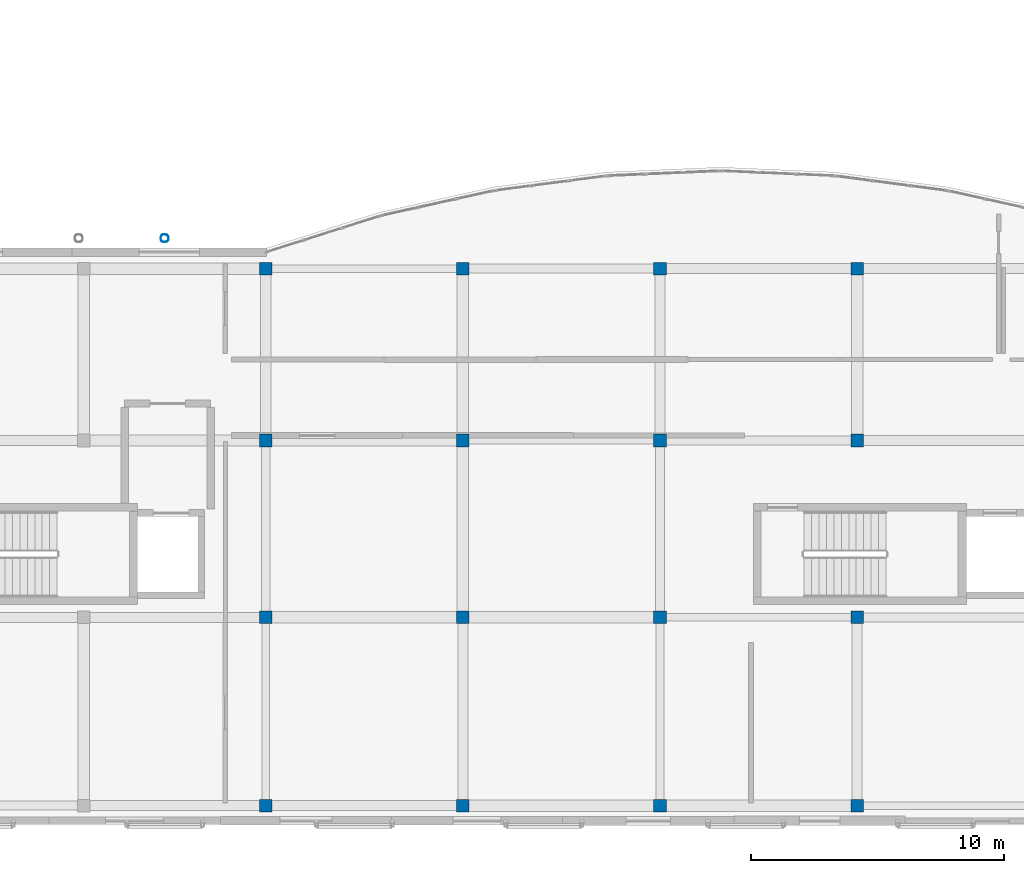
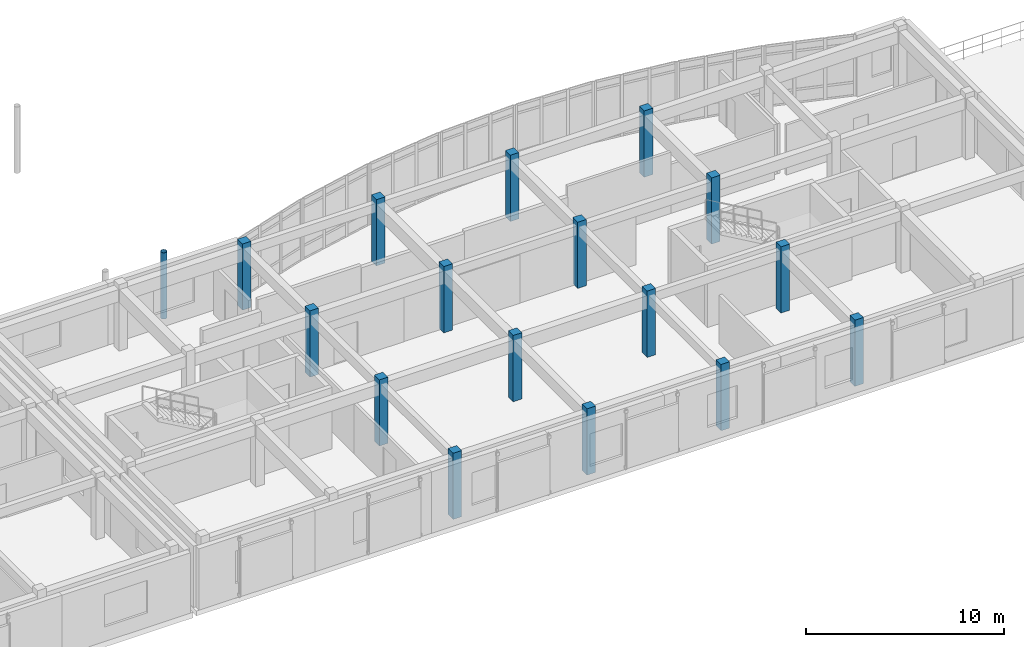
# One storey, part 4 of 91: 17 columns.
"""IFC4 building model written with IfcOpenShell, lengths in metres."""

from ifc_helpers import new_model, si_unit, direction, frame, origin, origin_2d, place, context, subcontext, project, spatial, rectangle, hollow_circle, extrude, material, material_profile, profile_set, type_object, element, save


model = new_model("IFC4")

# Units and contexts
model_context = context("Model", 3, precision=1e-05, world=origin(), true_north=direction((0.0, 1.0)))
body_context = subcontext(model_context, "Body", "Model", "MODEL_VIEW")
ifc_project = project(units=[si_unit("LENGTHUNIT", "METRE"), si_unit("AREAUNIT", "SQUARE_METRE"), si_unit("VOLUMEUNIT", "CUBIC_METRE"), si_unit("PLANEANGLEUNIT", "RADIAN"), si_unit("MASSUNIT", "GRAM", prefix="KILO")], contexts=[model_context])

# Site, building, storey
site_placement = place(None, origin())
site = spatial("IfcSite", under=ifc_project, at=site_placement, CompositionType="ELEMENT")
building_placement = place(site_placement, origin())
building = spatial("IfcBuilding", under=site, at=building_placement, Name="Valcora Specialist Clinic", CompositionType="ELEMENT")
storey_placement = place(building_placement, frame((0.0, 0.0, 13.60009765625)))
storey = spatial("IfcBuildingStorey", under=building, at=storey_placement, Name="L03", CompositionType="ELEMENT", Elevation=13.60009765625)

# Columns
ifc_material_1 = material(Name="Steel ASTM A500 Grade C", Category="steel")
ifc_material_profile_1 = material_profile(ifc_material_1, hollow_circle(Radius=0.162109375, WallThickness=0.011962890625, at=origin_2d()), Name="ST-CHS-324X12")
ifc_profile_set_1 = profile_set([ifc_material_profile_1], Name="Steel ASTM A500 Grade C")
column_type_1 = type_object("IfcColumnType", Name="TY-COL-CHS324", PredefinedType="COLUMN", material=ifc_profile_set_1)
column_placement = place(storey_placement, frame((65.0, 23.199951171875, 0.0), z_axis=(0.0, 0.0, 1.0), x_axis=(1.0, 0.0, 0.0)))
element("IfcColumn", 1, at=column_placement, inside=storey, type_object=column_type_1, Name="Column COL-L03-0987", PredefinedType="COLUMN", context=body_context, shape_type="SweptSolid", body=[
    extrude(hollow_circle(Radius=0.162109375, WallThickness=0.011962890625, at=origin_2d()), origin(), (0.0, 0.0, 1.0), 4.079833984375),
])
ifc_material_2 = material(Name="Concrete C40/50", Category="concrete")
ifc_material_profile_2 = material_profile(ifc_material_2, rectangle(XDim=0.5, YDim=0.5, at=origin_2d()), Name="RC-COL-500X500")
ifc_profile_set_2 = profile_set([ifc_material_profile_2], Name="Concrete C40/50")
column_type_2 = type_object("IfcColumnType", Name="TY-COL-RC500", PredefinedType="COLUMN", material=ifc_profile_set_2)
for number, where, z_axis, x_axis, name in (
    (2, (69.0, 0.75, 0.0), (0.0, 0.0, 1.0), (1.0, 0.0, 0.0), "Column COL-L03-0788"),
    (3, (69.0, 8.199951171875, 0.0), (0.0, 0.0, 1.0), (1.0, 0.0, 0.0), "Column COL-L03-0793"),
    (4, (69.0, 15.199951171875, 0.0), (0.0, 0.0, 1.0), (1.0, 0.0, 0.0), "Column COL-L03-0799"),
    (5, (69.0, 22.0, 0.0), (0.0, 0.0, 1.0), (1.0, 0.0, 0.0), "Column COL-L03-0805"),
    (6, (76.800048828125, 0.75, 0.0), (0.0, 0.0, 1.0), (1.0, 0.0, 0.0), "Column COL-L03-0811"),
    (7, (76.800048828125, 8.199951171875, 0.0), (0.0, 0.0, 1.0), (1.0, 0.0, 0.0), "Column COL-L03-0816"),
    (8, (76.800048828125, 15.199951171875, 0.0), (0.0, 0.0, 1.0), (1.0, 0.0, 0.0), "Column COL-L03-0822"),
    (9, (76.800048828125, 22.0, 0.0), (0.0, 0.0, 1.0), (1.0, 0.0, 0.0), "Column COL-L03-0828"),
    (10, (84.60009765625, 0.75, 0.0), (0.0, 0.0, 1.0), (1.0, 0.0, 0.0), "Column COL-L03-0834"),
    (11, (84.60009765625, 8.199951171875, 0.0), (0.0, 0.0, 1.0), (1.0, 0.0, 0.0), "Column COL-L03-0839"),
    (12, (84.60009765625, 15.199951171875, 0.0), (0.0, 0.0, 1.0), (1.0, 0.0, 0.0), "Column COL-L03-0845"),
    (13, (84.60009765625, 22.0, 0.0), (0.0, 0.0, 1.0), (1.0, 0.0, 0.0), "Column COL-L03-0851"),
    (14, (92.39990234375, 0.75, 0.0), (0.0, 0.0, 1.0), (1.0, 0.0, 0.0), "Column COL-L03-0857"),
    (15, (92.39990234375, 8.199951171875, 0.0), (0.0, 0.0, 1.0), (1.0, 0.0, 0.0), "Column COL-L03-0862"),
    (16, (92.39990234375, 15.199951171875, 0.0), (0.0, 0.0, 1.0), (1.0, 0.0, 0.0), "Column COL-L03-0868"),
    (17, (92.39990234375, 22.0, 0.0), (0.0, 0.0, 1.0), (1.0, 0.0, 0.0), "Column COL-L03-0874"),
):
    element("IfcColumn", number, at=place(storey_placement, frame(where, z_axis=z_axis, x_axis=x_axis)), inside=storey, type_object=column_type_2, Name=name, PredefinedType="COLUMN", context=body_context, shape_type="SweptSolid", body=[
        extrude(rectangle(XDim=0.5, YDim=0.5, at=origin_2d()), origin(), (0.0, 0.0, 1.0), 4.079833984375),
    ])

save(model, "model.ifc")
